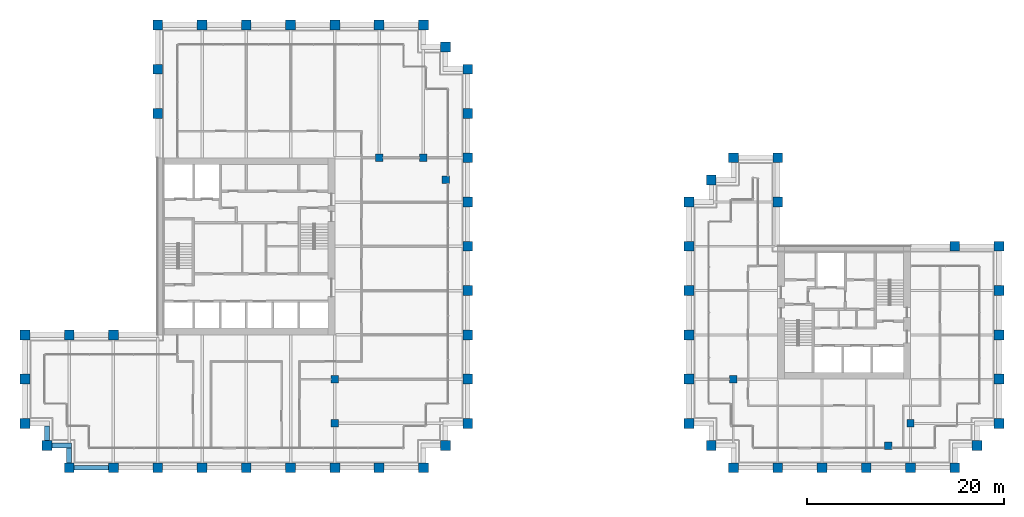
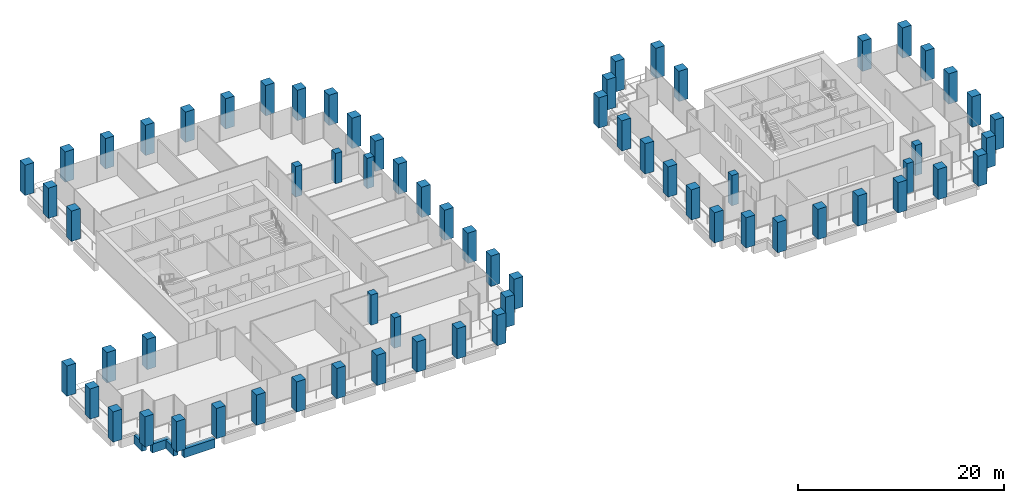
# One storey, part 1 of 46: 67 columns, 4 beams.
"""IFC4 building model written with IfcOpenShell, lengths in metres."""

import ifcopenshell
import ifcopenshell.guid

model = None  # the IFC model being written
_history = None  # IfcOwnerHistory: only IFC2X3 demands one
_inside = {}  # id of a spatial element -> (the spatial element, [elements in it])
_under = {}  # id of a project, library or spatial element -> (it, [spatial elements below it])
_declared = {}  # id of a project -> (the project, [libraries it declares])
_typed = {}  # id of a type object -> (the type object, [elements of that type])
_made_of = {}  # id of a material, layer set ... -> (it, [elements and type objects made of it])


def new_model(schema):
    """Start an empty IFC model of exactly this schema.

    Asked for "IFC4X3", IfcOpenShell would pick the latest addendum, in which some entities
    have other attributes; the version numbers below select the first issue.
    IFC2X3 requires an IfcOwnerHistory on every rooted entity: one is made here for all.
    """
    global model, _history
    if schema == "IFC4X3":
        model = ifcopenshell.file(schema_version=(4, 3, 0, 0))
    else:
        model = ifcopenshell.file(schema=schema)
    _inside.clear()
    _under.clear()
    _declared.clear()
    _typed.clear()
    _made_of.clear()
    _history = None
    if model.schema == "IFC2X3":
        org = make("IfcOrganization", Name="unknown")
        user = make(
            "IfcPersonAndOrganization",
            ThePerson=make("IfcPerson", FamilyName="unknown"),
            TheOrganization=org,
        )
        app = make(
            "IfcApplication",
            ApplicationDeveloper=org,
            Version="unknown",
            ApplicationFullName="unknown",
            ApplicationIdentifier="unknown",
        )
        _history = make(
            "IfcOwnerHistory",
            OwningUser=user,
            OwningApplication=app,
            ChangeAction="ADDED",
            CreationDate=0,
        )
    return model


def make(cls, **values):
    """One entity of the class cls with the attributes given. An attribute that is None is left unset."""
    return model.create_entity(
        cls, **{name: value for name, value in values.items() if value is not None}
    )


def rooted(cls, **values):
    """An entity with a GlobalId (a new one), such as an element, a storey or a relation."""
    return make(cls, GlobalId=ifcopenshell.guid.new(), OwnerHistory=_history, **values)


def si_unit(unit_type, name, prefix=None):
    """IfcSIUnit, for example si_unit("LENGTHUNIT", "METRE", prefix="MILLI")."""
    return make("IfcSIUnit", UnitType=unit_type, Prefix=prefix, Name=name)


def assignment(units):
    """IfcUnitAssignment: the units of a project."""
    return None if units is None else make("IfcUnitAssignment", Units=units)


def point(xyz):
    """IfcCartesianPoint."""
    return None if xyz is None else make("IfcCartesianPoint", Coordinates=xyz)


def direction(xyz):
    """IfcDirection."""
    return None if xyz is None else make("IfcDirection", DirectionRatios=xyz)


def frame(location, z_axis=None, x_axis=None):
    """IfcAxis2Placement3D, a coordinate frame: its origin and axes. An axis left out is left unset."""
    return make(
        "IfcAxis2Placement3D",
        Location=point(location),
        Axis=direction(z_axis),
        RefDirection=direction(x_axis),
    )


def frame_2d(location, x_axis=None):
    """IfcAxis2Placement2D, a coordinate frame in the plane: its origin and x axis."""
    return make(
        "IfcAxis2Placement2D", Location=point(location), RefDirection=direction(x_axis)
    )


def origin():
    """The frame at (0, 0, 0) with its axes left unset."""
    return frame((0.0, 0.0, 0.0))


def origin_2d():
    """The frame at (0, 0) in the plane with its x axis left unset."""
    return frame_2d((0.0, 0.0))


def place(relative_to, where):
    """IfcLocalPlacement: puts the frame where relative to a parent placement (None: the world)."""
    return make(
        "IfcLocalPlacement", PlacementRelTo=relative_to, RelativePlacement=where
    )


def context(
    kind, dimensions, precision=None, world=None, true_north=None, identifier=None
):
    """IfcGeometricRepresentationContext, for example the 3D "Model" context."""
    return make(
        "IfcGeometricRepresentationContext",
        ContextIdentifier=identifier,
        ContextType=kind,
        CoordinateSpaceDimension=dimensions,
        Precision=precision,
        WorldCoordinateSystem=world,
        TrueNorth=true_north,
    )


def subcontext(parent, identifier, kind, view, scale=None):
    """IfcGeometricRepresentationSubContext, for example "Body" below "Model"."""
    return make(
        "IfcGeometricRepresentationSubContext",
        ContextIdentifier=identifier,
        ContextType=kind,
        ParentContext=parent,
        TargetScale=scale,
        TargetView=view,
    )


def project(units=None, contexts=None):
    """IfcProject with its units and contexts."""
    return rooted(
        "IfcProject",
        Name="project",
        RepresentationContexts=contexts,
        UnitsInContext=assignment(units),
    )


def spatial(cls, under=None, at=None, **own):
    """A site, building, storey or space (cls), placed at a placement, below another one or the project."""
    s = rooted(cls, ObjectPlacement=at, **own)
    if under is not None:
        _under.setdefault(under.id(), (under, []))[1].append(s)
    return s


def profile(cls, at=None, kind="AREA", **sizes):
    """A parametric profile (cls). Its sizes go by their IFC names, for example OverallWidth=200.0."""
    return make(cls, ProfileType=kind, Position=at, **sizes)


def rectangle(**sizes):
    """IfcRectangleProfileDef."""
    return profile("IfcRectangleProfileDef", **sizes)


def extrude(swept, where, along, depth):
    """IfcExtrudedAreaSolid: the profile swept, set in the frame where, extruded along a direction by depth."""
    return make(
        "IfcExtrudedAreaSolid",
        SweptArea=swept,
        Position=where,
        ExtrudedDirection=direction(along),
        Depth=depth,
    )


def shape(context_of_items, identifier, shape_type, items):
    """IfcShapeRepresentation: the items that make up one representation, for example the "Body"."""
    return make(
        "IfcShapeRepresentation",
        ContextOfItems=context_of_items,
        RepresentationIdentifier=identifier,
        RepresentationType=shape_type,
        Items=items,
    )


def material(Name=None, Category=None):
    """IfcMaterial."""
    return make("IfcMaterial", Name=Name, Category=Category)


def material_profile(
    of_material, cross_section, Name=None, Category=None, Priority=None
):
    """IfcMaterialProfile: a cross section and its material."""
    return make(
        "IfcMaterialProfile",
        Name=Name,
        Material=of_material,
        Profile=cross_section,
        Priority=Priority,
        Category=Category,
    )


def profile_set(profiles, Name=None, composite=None):
    """IfcMaterialProfileSet."""
    return make(
        "IfcMaterialProfileSet",
        Name=Name,
        MaterialProfiles=profiles,
        CompositeProfile=composite,
    )


def made_of(thing, what):
    """Note that an element or type object is made of a material, layer set ...; save() writes the relation."""
    if what is not None:
        _made_of.setdefault(what.id(), (what, []))[1].append(thing)
    return thing


def type_object(cls, material=None, **own):
    """A type object (cls), such as IfcWallType, which elements share."""
    return made_of(rooted(cls, **own), material)


def element(
    cls,
    number,
    at=None,
    inside=None,
    cuts=None,
    type_object=None,
    material=None,
    context=None,
    identifier="Body",
    shape_type=None,
    held_by="IfcProductDefinitionShape",
    body=None,
    shapes=None,
    **own,
):
    """One element of the class cls, such as IfcWall. Its Tag is "e" and its number.

    at: its placement. inside: the storey or other place that contains it. cuts: it is an
    opening in that element (IfcRelVoidsElement). A single representation is given by context,
    identifier, shape_type and body (its items); several are given by shapes. held_by: the class
    of the entity that holds the representations. save() writes the other relations.
    """
    e = rooted(cls, Tag="e%d" % number, ObjectPlacement=at, **own)
    if body is not None:
        shapes = [shape(context, identifier, shape_type, body)]
    if shapes is not None:
        e.Representation = make(held_by, Representations=shapes)
    if inside is not None:
        _inside.setdefault(inside.id(), (inside, []))[1].append(e)
    if cuts is not None:
        rooted(
            "IfcRelVoidsElement", RelatingBuildingElement=cuts, RelatedOpeningElement=e
        )
    if type_object is not None:
        _typed.setdefault(type_object.id(), (type_object, []))[1].append(e)
    return made_of(e, material)


def aggregate(whole, parts):
    """IfcRelAggregates: a whole, such as a stair, and the parts it consists of."""
    return rooted("IfcRelAggregates", RelatingObject=whole, RelatedObjects=parts)


def save(model, path):
    """Write the relations noted so far, then the file.

    IfcRelAggregates (storeys below a building ...), IfcRelContainedInSpatialStructure (elements
    in a storey), IfcRelDefinesByType, IfcRelAssociatesMaterial and IfcRelDeclares: one each for
    every whole, place, type object, material and project.
    """
    for whole, parts in _under.values():
        aggregate(whole, parts)
    for where, things in _inside.values():
        rooted(
            "IfcRelContainedInSpatialStructure",
            RelatedElements=things,
            RelatingStructure=where,
        )
    for kind, things in _typed.values():
        rooted("IfcRelDefinesByType", RelatedObjects=things, RelatingType=kind)
    for what, things in _made_of.values():
        rooted("IfcRelAssociatesMaterial", RelatedObjects=things, RelatingMaterial=what)
    for by, libraries in _declared.values():
        rooted("IfcRelDeclares", RelatingContext=by, RelatedDefinitions=libraries)
    model.write(path)


model = new_model("IFC4")

# Units and contexts
model_context = context("Model", 3, precision=1e-05, world=origin(), true_north=direction((0.0, 1.0)))
body_context = subcontext(model_context, "Body", "Model", "MODEL_VIEW")
ifc_project = project(units=[si_unit("LENGTHUNIT", "METRE"), si_unit("AREAUNIT", "SQUARE_METRE"), si_unit("VOLUMEUNIT", "CUBIC_METRE"), si_unit("PLANEANGLEUNIT", "RADIAN"), si_unit("MASSUNIT", "GRAM", prefix="KILO")], contexts=[model_context])

# Site, building, storey
site_placement = place(None, origin())
site = spatial("IfcSite", under=ifc_project, at=site_placement, CompositionType="ELEMENT")
building_placement = place(site_placement, origin())
building = spatial("IfcBuilding", under=site, at=building_placement, Name="Altepetl Exchange Towers", CompositionType="ELEMENT")
storey_placement = place(building_placement, frame((0.0, 0.0, 131.60009765625)))
storey = spatial("IfcBuildingStorey", under=building, at=storey_placement, Name="L32", CompositionType="ELEMENT", Elevation=131.60009765625)

# Columns
ifc_material_1 = material(Name="Concrete C70/85", Category="concrete")
ifc_material_profile_1 = material_profile(ifc_material_1, rectangle(XDim=0.75, YDim=0.75, at=origin_2d()), Name="750 x 750")
ifc_profile_set_1 = profile_set([ifc_material_profile_1], Name="Concrete C70/85")
column_type_1 = type_object("IfcColumnType", Name="Interior column 750", PredefinedType="COLUMN", material=ifc_profile_set_1)
for number, where, name in (
    (1, (58.5, 31.5, 0.0), "col:A:L32:035"),
    (2, (58.5, 36.0, 0.0), "col:A:L32:036"),
    (3, (63.0, 58.5, 0.0), "col:A:L32:037"),
    (4, (67.5, 58.5, 0.0), "col:A:L32:038"),
    (5, (69.75, 56.25, 0.0), "col:A:L32:039"),
    (6, (99.0, 36.0, 0.0), "col:B:L32:024"),
    (7, (114.75, 29.25, 0.0), "col:B:L32:025"),
    (8, (117.0, 31.5, 0.0), "col:B:L32:026"),
):
    element("IfcColumn", number, at=place(storey_placement, frame(where)), inside=storey, type_object=column_type_1, Name=name, PredefinedType="COLUMN", context=body_context, shape_type="SweptSolid", body=[
        extrude(rectangle(XDim=0.75, YDim=0.75, at=origin_2d()), origin(), (0.0, 0.0, 1.0), 3.599853515625),
    ])
ifc_material_2 = material(Name="Concrete C70/85 precast with cantera amarilla facing", Category="concrete")
ifc_material_profile_2 = material_profile(ifc_material_2, rectangle(XDim=1.0, YDim=1.0, at=origin_2d()), Name="1000 x 1000")
ifc_profile_set_2 = profile_set([ifc_material_profile_2], Name="Concrete C70/85 precast with cantera amarilla facing")
column_type_2 = type_object("IfcColumnType", Name="Perimeter column 1000 cantera amarilla", PredefinedType="COLUMN", material=ifc_profile_set_2)
for number, where, name in (
    (9, (58.5, 27.0, 0.0), "col:A:L32:006"),
    (10, (63.0, 27.0, 0.0), "col:A:L32:007"),
    (11, (67.5, 27.0, 0.0), "col:A:L32:008"),
    (12, (69.75, 29.25, 0.0), "col:A:L32:009"),
    (13, (72.0, 31.5, 0.0), "col:A:L32:010"),
    (14, (72.0, 36.0, 0.0), "col:A:L32:011"),
    (15, (72.0, 40.5, 0.0), "col:A:L32:012"),
    (16, (72.0, 45.0, 0.0), "col:A:L32:013"),
    (17, (72.0, 49.5, 0.0), "col:A:L32:014"),
    (18, (72.0, 54.0, 0.0), "col:A:L32:015"),
    (19, (126.0, 49.5, 0.0), "col:B:L32:011"),
    (20, (121.5, 49.5, 0.0), "col:B:L32:012"),
):
    element("IfcColumn", number, at=place(storey_placement, frame(where)), inside=storey, type_object=column_type_2, Name=name, PredefinedType="COLUMN", context=body_context, shape_type="SweptSolid", body=[
        extrude(rectangle(XDim=1.0, YDim=1.0, at=origin_2d()), origin(), (0.0, 0.0, 1.0), 3.599853515625),
    ])
ifc_material_3 = material(Name="Concrete C70/85 precast with cantera blanca facing", Category="concrete")
ifc_material_profile_3 = material_profile(ifc_material_3, rectangle(XDim=1.0, YDim=1.0, at=origin_2d()), Name="1000 x 1000")
ifc_profile_set_3 = profile_set([ifc_material_profile_3], Name="Concrete C70/85 precast with cantera blanca facing")
column_type_3 = type_object("IfcColumnType", Name="Perimeter column 1000 cantera blanca", PredefinedType="COLUMN", material=ifc_profile_set_3)
for number, where, name in (
    (21, (31.5, 27.0, 0.0), "col:A:L32:000"),
    (22, (36.0, 27.0, 0.0), "col:A:L32:001"),
    (23, (40.5, 27.0, 0.0), "col:A:L32:002"),
    (24, (45.0, 27.0, 0.0), "col:A:L32:003"),
    (25, (49.5, 27.0, 0.0), "col:A:L32:004"),
    (26, (54.0, 27.0, 0.0), "col:A:L32:005"),
    (27, (27.0, 36.0, 0.0), "col:A:L32:032"),
    (28, (27.0, 31.5, 0.0), "col:A:L32:033"),
    (29, (29.25, 29.25, 0.0), "col:A:L32:034"),
    (30, (117.0, 27.0, 0.0), "col:B:L32:004"),
    (31, (121.5, 27.0, 0.0), "col:B:L32:005"),
    (32, (123.75, 29.25, 0.0), "col:B:L32:006"),
    (33, (126.0, 31.5, 0.0), "col:B:L32:007"),
    (34, (126.0, 36.0, 0.0), "col:B:L32:008"),
    (35, (126.0, 40.5, 0.0), "col:B:L32:009"),
    (36, (126.0, 45.0, 0.0), "col:B:L32:010"),
):
    element("IfcColumn", number, at=place(storey_placement, frame(where)), inside=storey, type_object=column_type_3, Name=name, PredefinedType="COLUMN", context=body_context, shape_type="SweptSolid", body=[
        extrude(rectangle(XDim=1.0, YDim=1.0, at=origin_2d()), origin(), (0.0, 0.0, 1.0), 3.599853515625),
    ])
ifc_material_4 = material(Name="Concrete C70/85 precast with cantera rosa facing", Category="concrete")
ifc_material_profile_4 = material_profile(ifc_material_4, rectangle(XDim=1.0, YDim=1.0, at=origin_2d()), Name="1000 x 1000")
ifc_profile_set_4 = profile_set([ifc_material_profile_4], Name="Concrete C70/85 precast with cantera rosa facing")
column_type_4 = type_object("IfcColumnType", Name="Perimeter column 1000 cantera rosa", PredefinedType="COLUMN", material=ifc_profile_set_4)
for number, where, name in (
    (37, (72.0, 58.5, 0.0), "col:A:L32:016"),
    (38, (72.0, 63.0, 0.0), "col:A:L32:017"),
    (39, (72.0, 67.5, 0.0), "col:A:L32:018"),
    (40, (69.75, 69.75, 0.0), "col:A:L32:019"),
    (41, (67.5, 72.0, 0.0), "col:A:L32:020"),
    (42, (63.0, 72.0, 0.0), "col:A:L32:021"),
    (43, (58.5, 72.0, 0.0), "col:A:L32:022"),
    (44, (54.0, 72.0, 0.0), "col:A:L32:023"),
    (45, (49.5, 72.0, 0.0), "col:A:L32:024"),
    (46, (45.0, 72.0, 0.0), "col:A:L32:025"),
    (47, (103.5, 54.0, 0.0), "col:B:L32:013"),
    (48, (103.5, 58.5, 0.0), "col:B:L32:014"),
    (49, (99.0, 58.5, 0.0), "col:B:L32:015"),
    (50, (96.75, 56.25, 0.0), "col:B:L32:016"),
    (51, (94.5, 54.0, 0.0), "col:B:L32:017"),
    (52, (94.5, 49.5, 0.0), "col:B:L32:018"),
    (53, (94.5, 45.0, 0.0), "col:B:L32:019"),
    (54, (94.5, 40.5, 0.0), "col:B:L32:020"),
    (55, (94.5, 36.0, 0.0), "col:B:L32:021"),
):
    element("IfcColumn", number, at=place(storey_placement, frame(where)), inside=storey, type_object=column_type_4, Name=name, PredefinedType="COLUMN", context=body_context, shape_type="SweptSolid", body=[
        extrude(rectangle(XDim=1.0, YDim=1.0, at=origin_2d()), origin(), (0.0, 0.0, 1.0), 3.599853515625),
    ])
ifc_material_5 = material(Name="Concrete C70/85 precast with tezontle facing", Category="concrete")
ifc_material_profile_5 = material_profile(ifc_material_5, rectangle(XDim=1.0, YDim=1.0, at=origin_2d()), Name="1000 x 1000")
ifc_profile_set_5 = profile_set([ifc_material_profile_5], Name="Concrete C70/85 precast with tezontle facing")
column_type_5 = type_object("IfcColumnType", Name="Perimeter column 1000 tezontle", PredefinedType="COLUMN", material=ifc_profile_set_5)
for number, where, name in (
    (56, (40.5, 72.0, 0.0), "col:A:L32:026"),
    (57, (40.5, 67.5, 0.0), "col:A:L32:027"),
    (58, (40.5, 63.0, 0.0), "col:A:L32:028"),
    (59, (36.0, 40.5, 0.0), "col:A:L32:029"),
    (60, (31.5, 40.5, 0.0), "col:A:L32:030"),
    (61, (27.0, 40.5, 0.0), "col:A:L32:031"),
    (62, (99.0, 27.0, 0.0), "col:B:L32:000"),
    (63, (103.5, 27.0, 0.0), "col:B:L32:001"),
    (64, (108.0, 27.0, 0.0), "col:B:L32:002"),
    (65, (112.5, 27.0, 0.0), "col:B:L32:003"),
    (66, (94.5, 31.5, 0.0), "col:B:L32:022"),
    (67, (96.75, 29.25, 0.0), "col:B:L32:023"),
):
    element("IfcColumn", number, at=place(storey_placement, frame(where)), inside=storey, type_object=column_type_5, Name=name, PredefinedType="COLUMN", context=body_context, shape_type="SweptSolid", body=[
        extrude(rectangle(XDim=1.0, YDim=1.0, at=origin_2d()), origin(), (0.0, 0.0, 1.0), 3.599853515625),
    ])

# Beams
ifc_material_6 = material(Name="Concrete C50/60 precast with cantera blanca facing", Category="concrete")
ifc_material_profile_6 = material_profile(ifc_material_6, rectangle(XDim=0.5, YDim=1.050048828125, at=origin_2d()), Name="500 x 1050")
ifc_profile_set_6 = profile_set([ifc_material_profile_6], Name="Concrete C50/60 precast with cantera blanca facing")
beam_type = type_object("IfcBeamType", Name="Spandrel beam 500x1050 cantera blanca", PredefinedType="SPANDREL", material=ifc_profile_set_6)
beam_1_placement = place(storey_placement, frame((32.0, 27.0, -0.675048828125), z_axis=(1.0, 0.0, 0.0), x_axis=(0.0, 1.0, 0.0)))
element("IfcBeam", 68, at=beam_1_placement, inside=storey, type_object=beam_type, Name="sp:A:L32:000", PredefinedType="SPANDREL", context=body_context, shape_type="SweptSolid", body=[
    extrude(rectangle(XDim=0.5, YDim=1.050048828125, at=origin_2d()), origin(), (0.0, 0.0, 1.0), 3.5),
])
beam_2_placement = place(storey_placement, frame((29.25, 31.25, -0.675048828125), z_axis=(0.0, -1.0, 0.0), x_axis=(1.0, 0.0, 0.0)))
element("IfcBeam", 69, at=beam_2_placement, inside=storey, type_object=beam_type, Name="sp:A:L32:039", PredefinedType="SPANDREL", context=body_context, shape_type="SweptSolid", body=[
    extrude(rectangle(XDim=0.5, YDim=1.050048828125, at=origin_2d()), origin(), (0.0, 0.0, 1.0), 1.5),
])
beam_3_placement = place(storey_placement, frame((29.75, 29.25, -0.675048828125), z_axis=(1.0, 0.0, 0.0), x_axis=(0.0, 1.0, 0.0)))
element("IfcBeam", 70, at=beam_3_placement, inside=storey, type_object=beam_type, Name="sp:A:L32:040", PredefinedType="SPANDREL", context=body_context, shape_type="SweptSolid", body=[
    extrude(rectangle(XDim=0.5, YDim=1.050048828125, at=origin_2d()), origin(), (0.0, 0.0, 1.0), 2.0),
])
beam_4_placement = place(storey_placement, frame((31.5, 29.0, -0.675048828125), z_axis=(0.0, -1.0, 0.0), x_axis=(1.0, 0.0, 0.0)))
element("IfcBeam", 71, at=beam_4_placement, inside=storey, type_object=beam_type, Name="sp:A:L32:041", PredefinedType="SPANDREL", context=body_context, shape_type="SweptSolid", body=[
    extrude(rectangle(XDim=0.5, YDim=1.050048828125, at=origin_2d()), origin(), (0.0, 0.0, 1.0), 1.5),
])

save(model, "model.ifc")
